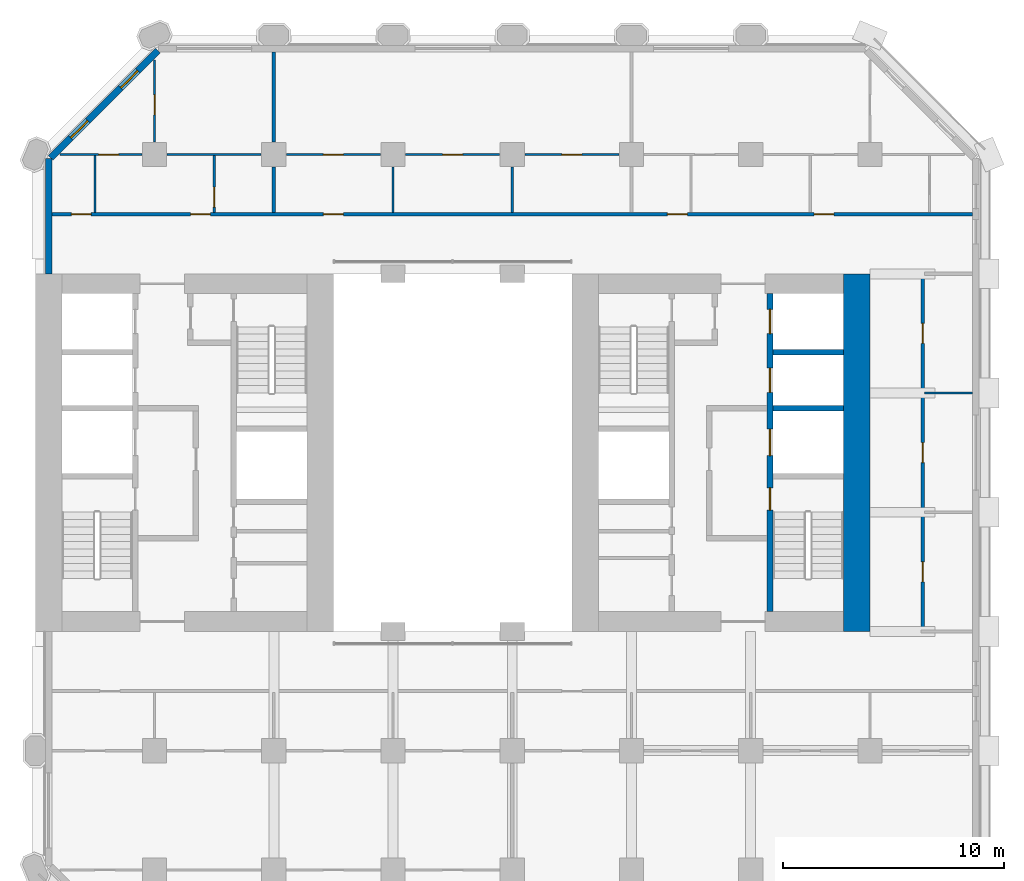
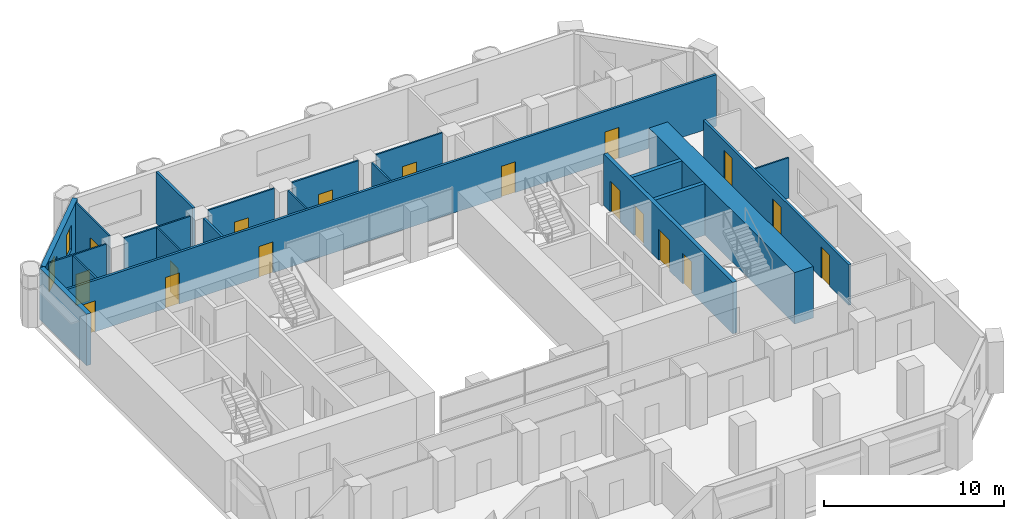
# One storey, part 10 of 13: 21 walls, 18 doors, 2 windows, 20 openings.
"""IFC4 building model written with IfcOpenShell, lengths in metres."""

from ifc_helpers import new_model, si_unit, direction, frame, frame_2d, origin, place, context, subcontext, project, spatial, rectangle, extrude, material, layer, layer_set, type_object, element, fill, save


model = new_model("IFC4")

# Units and contexts
model_context = context("Model", 3, precision=1e-05, world=origin(), true_north=direction((0.0, 1.0)))
body_context = subcontext(model_context, "Body", "Model", "MODEL_VIEW")
ifc_project = project(units=[si_unit("LENGTHUNIT", "METRE"), si_unit("AREAUNIT", "SQUARE_METRE"), si_unit("VOLUMEUNIT", "CUBIC_METRE"), si_unit("PLANEANGLEUNIT", "RADIAN"), si_unit("MASSUNIT", "GRAM", prefix="KILO")], contexts=[model_context])

# Site, building, storey
site_placement = place(None, origin())
site = spatial("IfcSite", under=ifc_project, at=site_placement, CompositionType="ELEMENT")
building_placement = place(site_placement, origin())
building = spatial("IfcBuilding", under=site, at=building_placement, Name="Tabaq Tower and Sports Hall", CompositionType="ELEMENT")
storey_placement = place(building_placement, frame((0.0, 0.0, 45.0)))
storey = spatial("IfcBuildingStorey", under=building, at=storey_placement, Name="L09", CompositionType="ELEMENT", Elevation=45.0)

# Walls
ifc_material_1 = material(Name="Concrete C60/75", Category="concrete")
ifc_layer_1 = layer(ifc_material_1, 1.199951171875)
ifc_layer_set_1 = layer_set([ifc_layer_1], Name="Core wall 1200 Concrete C60/75")
wall_type_1 = type_object("IfcWallType", Name="Core wall 1200 Concrete C60/75", PredefinedType="SOLIDWALL", material=ifc_layer_set_1)
wall_1_placement = place(storey_placement, frame((42.60009765625, 32.39990234375, 0.0), z_axis=(0.0, 0.0, 1.0), x_axis=(0.0, -1.0, 0.0)))
element("IfcWall", 1, at=wall_1_placement, inside=storey, type_object=wall_type_1, Name="Core wall E L09", PredefinedType="SOLIDWALL", context=body_context, shape_type="SweptSolid", body=[
    extrude(rectangle(XDim=16.199951171875, YDim=1.199951171875, at=frame_2d((8.10009765625, 0.0))), origin(), (0.0, 0.0, 1.0), 3.5),
])
ifc_material_2 = material(Name="Gypsum board on steel studs", Category="steel")
ifc_layer_2 = layer(ifc_material_2, 0.10009765625)
ifc_layer_set_2 = layer_set([ifc_layer_2], Name="Partition 100 Gypsum board")
wall_type_2 = type_object("IfcWallType", Name="Partition 100 Gypsum board", PredefinedType="PARTITIONING", material=ifc_layer_set_2)
wall_2_placement = place(storey_placement, frame((8.10009765625, 35.175048828125, 0.0), z_axis=(0.0, 0.0, 1.0), x_axis=(0.0, 1.0, 0.0)))
element("IfcWall", 2, at=wall_2_placement, inside=storey, type_object=wall_type_2, Name="Partition wall L09", PredefinedType="PARTITIONING", context=body_context, shape_type="SweptSolid", body=[
    extrude(rectangle(XDim=2.574951171875, YDim=0.10009765625, at=frame_2d((1.28759765625, 0.0))), origin(), (0.0, 0.0, 1.0), 3.5),
])

# Wall, opening, door
wall_3_placement = place(storey_placement, frame((13.5, 35.175048828125, 0.0), z_axis=(0.0, 0.0, 1.0), x_axis=(0.0, 1.0, 0.0)))
wall_3 = element("IfcWall", 3, at=wall_3_placement, inside=storey, type_object=wall_type_2, Name="Partition wall L09", PredefinedType="PARTITIONING", context=body_context, shape_type="SweptSolid", body=[
    extrude(rectangle(XDim=2.574951171875, YDim=0.10009765625, at=frame_2d((1.28759765625, 0.0))), origin(), (0.0, 0.0, 1.0), 3.5),
])
opening_1_placement = place(wall_3_placement, frame((0.25, 0.0, 0.0)))
opening_1 = element("IfcOpeningElement", 4, at=opening_1_placement, cuts=wall_3, Name="Opening L09-006", PredefinedType="OPENING", context=body_context, shape_type="SweptSolid", body=[
    extrude(rectangle(XDim=0.89990234375, YDim=2.10009765625, at=frame_2d((0.449951171875, 1.050048828125))), frame((0.0, 0.050048828125, 0.0), z_axis=(0.0, -1.0, 0.0), x_axis=(1.0, 0.0, 0.0)), (0.0, 0.0, 1.0), 0.10009765625),
])
ifc_material_3 = material(Name="Timber leaf in steel frame", Category="steel")
door_type_1 = type_object("IfcDoorType", Name="Internal door 900 left hand", OperationType="SINGLE_SWING_LEFT", PredefinedType="DOOR", material=ifc_material_3)
door_1_placement = place(opening_1_placement, origin())
door_1 = element("IfcDoor", 5, at=door_1_placement, inside=storey, type_object=door_type_1, Name="Internal door L09-006", OperationType="SINGLE_SWING_LEFT", OverallHeight=2.10009765625, OverallWidth=0.89990234375, PredefinedType="DOOR", context=body_context, shape_type="SweptSolid", body=[
    extrude(rectangle(XDim=0.89990234375, YDim=2.10009765625, at=frame_2d((0.449951171875, 1.050048828125))), frame((0.0, 0.02490234375, 0.0), z_axis=(0.0, -1.0, 0.0), x_axis=(1.0, 0.0, 0.0)), (0.0, 0.0, 1.0), 0.050048828125),
])
fill(opening_1, door_1)

wall_4_placement = place(storey_placement, frame((10.22998046875, 37.800048828125, 0.0), z_axis=(0.0, 0.0, 1.0), x_axis=(-1.0, 0.0, 0.0)))
wall_4 = element("IfcWall", 6, at=wall_4_placement, inside=storey, type_object=wall_type_2, Name="Partition wall L09", PredefinedType="PARTITIONING", context=body_context, shape_type="SweptSolid", body=[
    extrude(rectangle(XDim=3.7177734375, YDim=0.10009765625, at=frame_2d((1.85888671875, 0.0))), origin(), (0.0, 0.0, 1.0), 3.5),
])
opening_2_placement = place(wall_4_placement, frame((1.06005859375, 0.0, 0.0)))
opening_2 = element("IfcOpeningElement", 7, at=opening_2_placement, cuts=wall_4, Name="Opening L09-025", PredefinedType="OPENING", context=body_context, shape_type="SweptSolid", body=[
    extrude(rectangle(XDim=0.89990234375, YDim=2.10009765625, at=frame_2d((0.449951171875, 1.050048828125))), frame((0.0, 0.050048828125, 0.0), z_axis=(0.0, -1.0, 0.0), x_axis=(1.0, 0.0, 0.0)), (0.0, 0.0, 1.0), 0.10009765625),
])
ifc_material_4 = material(Name="Timber leaf in steel frame", Category="steel")
door_type_2 = type_object("IfcDoorType", Name="Internal door 900 right hand", OperationType="SINGLE_SWING_RIGHT", PredefinedType="DOOR", material=ifc_material_4)
door_2_placement = place(opening_2_placement, origin())
door_2 = element("IfcDoor", 8, at=door_2_placement, inside=storey, type_object=door_type_2, Name="Internal door L09-025", OperationType="SINGLE_SWING_RIGHT", OverallHeight=2.10009765625, OverallWidth=0.89990234375, PredefinedType="DOOR", context=body_context, shape_type="SweptSolid", body=[
    extrude(rectangle(XDim=0.89990234375, YDim=2.10009765625, at=frame_2d((0.449951171875, 1.050048828125))), frame((0.0, 0.02490234375, 0.0), z_axis=(0.0, -1.0, 0.0), x_axis=(1.0, 0.0, 0.0)), (0.0, 0.0, 1.0), 0.050048828125),
])
fill(opening_2, door_2)

# Wall
wall_5_placement = place(storey_placement, frame((15.6298828125, 37.800048828125, 0.0), z_axis=(0.0, 0.0, 1.0), x_axis=(-1.0, 0.0, 0.0)))
element("IfcWall", 9, at=wall_5_placement, inside=storey, type_object=wall_type_2, Name="Partition wall L09", PredefinedType="PARTITIONING", context=body_context, shape_type="SweptSolid", body=[
    extrude(rectangle(XDim=4.259765625, YDim=0.10009765625, at=frame_2d((2.1298828125, 0.0))), origin(), (0.0, 0.0, 1.0), 3.5),
])

# Wall, opening, door
wall_6_placement = place(storey_placement, frame((10.800048828125, 38.3701171875, 0.0), z_axis=(0.0, 0.0, 1.0), x_axis=(0.0, 1.0, 0.0)))
wall_6 = element("IfcWall", 10, at=wall_6_placement, inside=storey, type_object=wall_type_2, Name="Partition wall L09", PredefinedType="PARTITIONING", context=body_context, shape_type="SweptSolid", body=[
    extrude(rectangle(XDim=3.7177734375, YDim=0.10009765625, at=frame_2d((1.85888671875, 0.0))), origin(), (0.0, 0.0, 1.0), 3.5),
])
opening_3_placement = place(wall_6_placement, frame((1.22998046875, 0.0, 0.0)))
opening_3 = element("IfcOpeningElement", 11, at=opening_3_placement, cuts=wall_6, Name="Opening L09-007", PredefinedType="OPENING", context=body_context, shape_type="SweptSolid", body=[
    extrude(rectangle(XDim=0.89990234375, YDim=2.10009765625, at=frame_2d((0.449951171875, 1.050048828125))), frame((0.0, 0.050048828125, 0.0), z_axis=(0.0, -1.0, 0.0), x_axis=(1.0, 0.0, 0.0)), (0.0, 0.0, 1.0), 0.10009765625),
])
door_3_placement = place(opening_3_placement, origin())
door_3 = element("IfcDoor", 12, at=door_3_placement, inside=storey, type_object=door_type_1, Name="Internal door L09-007", OperationType="SINGLE_SWING_LEFT", OverallHeight=2.10009765625, OverallWidth=0.89990234375, PredefinedType="DOOR", context=body_context, shape_type="SweptSolid", body=[
    extrude(rectangle(XDim=0.89990234375, YDim=2.10009765625, at=frame_2d((0.449951171875, 1.050048828125))), frame((0.0, 0.02490234375, 0.0), z_axis=(0.0, -1.0, 0.0), x_axis=(1.0, 0.0, 0.0)), (0.0, 0.0, 1.0), 0.050048828125),
])
fill(opening_3, door_3)

# Wall
wall_7_placement = place(storey_placement, frame((21.60009765625, 35.175048828125, 0.0), z_axis=(0.0, 0.0, 1.0), x_axis=(0.0, 1.0, 0.0)))
element("IfcWall", 13, at=wall_7_placement, inside=storey, type_object=wall_type_2, Name="Partition wall L09", PredefinedType="PARTITIONING", context=body_context, shape_type="SweptSolid", body=[
    extrude(rectangle(XDim=2.054931640625, YDim=0.10009765625, at=frame_2d((1.02734375, 0.0))), origin(), (0.0, 0.0, 1.0), 3.5),
])

# Wall, opening, door
wall_8_placement = place(storey_placement, frame((21.030029296875, 37.800048828125, 0.0), z_axis=(0.0, 0.0, 1.0), x_axis=(-1.0, 0.0, 0.0)))
wall_8 = element("IfcWall", 14, at=wall_8_placement, inside=storey, type_object=wall_type_2, Name="Partition wall L09", PredefinedType="PARTITIONING", context=body_context, shape_type="SweptSolid", body=[
    extrude(rectangle(XDim=4.260009765625, YDim=0.10009765625, at=frame_2d((2.1298828125, 0.0))), origin(), (0.0, 0.0, 1.0), 3.5),
])
opening_4_placement = place(wall_8_placement, frame((1.679931640625, 0.0, 0.0)))
opening_4 = element("IfcOpeningElement", 15, at=opening_4_placement, cuts=wall_8, Name="Opening L09-026", PredefinedType="OPENING", context=body_context, shape_type="SweptSolid", body=[
    extrude(rectangle(XDim=0.89990234375, YDim=2.10009765625, at=frame_2d((0.449951171875, 1.050048828125))), frame((0.0, 0.050048828125, 0.0), z_axis=(0.0, -1.0, 0.0), x_axis=(1.0, 0.0, 0.0)), (0.0, 0.0, 1.0), 0.10009765625),
])
door_4_placement = place(opening_4_placement, origin())
door_4 = element("IfcDoor", 16, at=door_4_placement, inside=storey, type_object=door_type_2, Name="Internal door L09-026", OperationType="SINGLE_SWING_RIGHT", OverallHeight=2.10009765625, OverallWidth=0.89990234375, PredefinedType="DOOR", context=body_context, shape_type="SweptSolid", body=[
    extrude(rectangle(XDim=0.89990234375, YDim=2.10009765625, at=frame_2d((0.449951171875, 1.050048828125))), frame((0.0, 0.02490234375, 0.0), z_axis=(0.0, -1.0, 0.0), x_axis=(1.0, 0.0, 0.0)), (0.0, 0.0, 1.0), 0.050048828125),
])
fill(opening_4, door_4)

# Wall
wall_9_placement = place(storey_placement, frame((27.0, 35.175048828125, 0.0), z_axis=(0.0, 0.0, 1.0), x_axis=(0.0, 1.0, 0.0)))
element("IfcWall", 17, at=wall_9_placement, inside=storey, type_object=wall_type_2, Name="Partition wall L09", PredefinedType="PARTITIONING", context=body_context, shape_type="SweptSolid", body=[
    extrude(rectangle(XDim=2.054931640625, YDim=0.10009765625, at=frame_2d((1.02734375, 0.0))), origin(), (0.0, 0.0, 1.0), 3.5),
])

# Wall, opening, door
wall_10_placement = place(storey_placement, frame((26.429931640625, 37.800048828125, 0.0), z_axis=(0.0, 0.0, 1.0), x_axis=(-1.0, 0.0, 0.0)))
wall_10 = element("IfcWall", 18, at=wall_10_placement, inside=storey, type_object=wall_type_2, Name="Partition wall L09", PredefinedType="PARTITIONING", context=body_context, shape_type="SweptSolid", body=[
    extrude(rectangle(XDim=4.260009765625, YDim=0.10009765625, at=frame_2d((2.1298828125, 0.0))), origin(), (0.0, 0.0, 1.0), 3.5),
])
opening_5_placement = place(wall_10_placement, frame((1.679931640625, 0.0, 0.0)))
opening_5 = element("IfcOpeningElement", 19, at=opening_5_placement, cuts=wall_10, Name="Opening L09-008", PredefinedType="OPENING", context=body_context, shape_type="SweptSolid", body=[
    extrude(rectangle(XDim=0.89990234375, YDim=2.10009765625, at=frame_2d((0.449951171875, 1.050048828125))), frame((0.0, 0.050048828125, 0.0), z_axis=(0.0, -1.0, 0.0), x_axis=(1.0, 0.0, 0.0)), (0.0, 0.0, 1.0), 0.10009765625),
])
door_5_placement = place(opening_5_placement, origin())
door_5 = element("IfcDoor", 20, at=door_5_placement, inside=storey, type_object=door_type_1, Name="Internal door L09-008", OperationType="SINGLE_SWING_LEFT", OverallHeight=2.10009765625, OverallWidth=0.89990234375, PredefinedType="DOOR", context=body_context, shape_type="SweptSolid", body=[
    extrude(rectangle(XDim=0.89990234375, YDim=2.10009765625, at=frame_2d((0.449951171875, 1.050048828125))), frame((0.0, 0.02490234375, 0.0), z_axis=(0.0, -1.0, 0.0), x_axis=(1.0, 0.0, 0.0)), (0.0, 0.0, 1.0), 0.050048828125),
])
fill(opening_5, door_5)

wall_11_placement = place(storey_placement, frame((31.830078125, 37.800048828125, 0.0), z_axis=(0.0, 0.0, 1.0), x_axis=(-1.0, 0.0, 0.0)))
wall_11 = element("IfcWall", 21, at=wall_11_placement, inside=storey, type_object=wall_type_2, Name="Partition wall L09", PredefinedType="PARTITIONING", context=body_context, shape_type="SweptSolid", body=[
    extrude(rectangle(XDim=4.260009765625, YDim=0.10009765625, at=frame_2d((2.1298828125, 0.0))), origin(), (0.0, 0.0, 1.0), 3.5),
])
opening_6_placement = place(wall_11_placement, frame((1.679931640625, 0.0, 0.0)))
opening_6 = element("IfcOpeningElement", 22, at=opening_6_placement, cuts=wall_11, Name="Opening L09-009", PredefinedType="OPENING", context=body_context, shape_type="SweptSolid", body=[
    extrude(rectangle(XDim=0.89990234375, YDim=2.10009765625, at=frame_2d((0.449951171875, 1.050048828125))), frame((0.0, 0.050048828125, 0.0), z_axis=(0.0, -1.0, 0.0), x_axis=(1.0, 0.0, 0.0)), (0.0, 0.0, 1.0), 0.10009765625),
])
door_6_placement = place(opening_6_placement, origin())
door_6 = element("IfcDoor", 23, at=door_6_placement, inside=storey, type_object=door_type_1, Name="Internal door L09-009", OperationType="SINGLE_SWING_LEFT", OverallHeight=2.10009765625, OverallWidth=0.89990234375, PredefinedType="DOOR", context=body_context, shape_type="SweptSolid", body=[
    extrude(rectangle(XDim=0.89990234375, YDim=2.10009765625, at=frame_2d((0.449951171875, 1.050048828125))), frame((0.0, 0.02490234375, 0.0), z_axis=(0.0, -1.0, 0.0), x_axis=(1.0, 0.0, 0.0)), (0.0, 0.0, 1.0), 0.050048828125),
])
fill(opening_6, door_6)

# Wall
wall_12_placement = place(storey_placement, frame((47.84912109375, 27.0, 0.0), z_axis=(0.0, 0.0, 1.0), x_axis=(-1.0, 0.0, 0.0)))
element("IfcWall", 24, at=wall_12_placement, inside=storey, type_object=wall_type_2, Name="Partition wall L09", PredefinedType="PARTITIONING", context=body_context, shape_type="SweptSolid", body=[
    extrude(rectangle(XDim=2.174072265625, YDim=0.10009765625, at=frame_2d((1.0869140625, 0.0))), origin(), (0.0, 0.0, 1.0), 2.75),
])

# Wall, openings, doors
ifc_material_5 = material(Name="Blockwork", Category="masonry")
ifc_layer_3 = layer(ifc_material_5, 0.14990234375)
ifc_layer_set_3 = layer_set([ifc_layer_3], Name="Separating wall 150 Blockwork")
wall_type_3 = type_object("IfcWallType", Name="Separating wall 150 Blockwork", PredefinedType="PARTITIONING", material=ifc_layer_set_3)
wall_13_placement = place(storey_placement, frame((45.60009765625, 16.27490234375, 0.0), z_axis=(0.0, 0.0, 1.0), x_axis=(0.0, 1.0, 0.0)))
wall_13 = element("IfcWall", 25, at=wall_13_placement, inside=storey, type_object=wall_type_3, Name="Separating wall L09", PredefinedType="PARTITIONING", context=body_context, shape_type="SweptSolid", body=[
    extrude(rectangle(XDim=16.2001953125, YDim=0.14990234375, at=frame_2d((8.10009765625, 0.0))), origin(), (0.0, 0.0, 1.0), 2.75),
])
opening_7_placement = place(wall_13_placement, frame((2.175048828125, 0.0, 0.0)))
opening_7 = element("IfcOpeningElement", 26, at=opening_7_placement, cuts=wall_13, Name="Opening L09-003", PredefinedType="OPENING", context=body_context, shape_type="SweptSolid", body=[
    extrude(rectangle(XDim=0.89990234375, YDim=2.10009765625, at=frame_2d((0.449951171875, 1.050048828125))), frame((0.0, 0.074951171875, 0.0), z_axis=(0.0, -1.0, 0.0), x_axis=(1.0, 0.0, 0.0)), (0.0, 0.0, 1.0), 0.14990234375),
])
opening_8_placement = place(wall_13_placement, frame((7.574951171875, 0.0, 0.0)))
opening_8 = element("IfcOpeningElement", 27, at=opening_8_placement, cuts=wall_13, Name="Opening L09-004", PredefinedType="OPENING", context=body_context, shape_type="SweptSolid", body=[
    extrude(rectangle(XDim=0.89990234375, YDim=2.10009765625, at=frame_2d((0.449951171875, 1.050048828125))), frame((0.0, 0.074951171875, 0.0), z_axis=(0.0, -1.0, 0.0), x_axis=(1.0, 0.0, 0.0)), (0.0, 0.0, 1.0), 0.14990234375),
])
opening_9_placement = place(wall_13_placement, frame((12.97509765625, 0.0, 0.0)))
opening_9 = element("IfcOpeningElement", 28, at=opening_9_placement, cuts=wall_13, Name="Opening L09-005", PredefinedType="OPENING", context=body_context, shape_type="SweptSolid", body=[
    extrude(rectangle(XDim=0.89990234375, YDim=2.10009765625, at=frame_2d((0.449951171875, 1.050048828125))), frame((0.0, 0.074951171875, 0.0), z_axis=(0.0, -1.0, 0.0), x_axis=(1.0, 0.0, 0.0)), (0.0, 0.0, 1.0), 0.14990234375),
])
door_7_placement = place(opening_7_placement, origin())
door_7 = element("IfcDoor", 29, at=door_7_placement, inside=storey, type_object=door_type_1, Name="Internal door L09-003", OperationType="SINGLE_SWING_LEFT", OverallHeight=2.10009765625, OverallWidth=0.89990234375, PredefinedType="DOOR", context=body_context, shape_type="SweptSolid", body=[
    extrude(rectangle(XDim=0.89990234375, YDim=2.10009765625, at=frame_2d((0.449951171875, 1.050048828125))), frame((0.0, 0.02490234375, 0.0), z_axis=(0.0, -1.0, 0.0), x_axis=(1.0, 0.0, 0.0)), (0.0, 0.0, 1.0), 0.050048828125),
])
fill(opening_7, door_7)
door_8_placement = place(opening_8_placement, origin())
door_8 = element("IfcDoor", 30, at=door_8_placement, inside=storey, type_object=door_type_1, Name="Internal door L09-004", OperationType="SINGLE_SWING_LEFT", OverallHeight=2.10009765625, OverallWidth=0.89990234375, PredefinedType="DOOR", context=body_context, shape_type="SweptSolid", body=[
    extrude(rectangle(XDim=0.89990234375, YDim=2.10009765625, at=frame_2d((0.449951171875, 1.050048828125))), frame((0.0, 0.02490234375, 0.0), z_axis=(0.0, -1.0, 0.0), x_axis=(1.0, 0.0, 0.0)), (0.0, 0.0, 1.0), 0.050048828125),
])
fill(opening_8, door_8)
door_9_placement = place(opening_9_placement, origin())
door_9 = element("IfcDoor", 31, at=door_9_placement, inside=storey, type_object=door_type_1, Name="Internal door L09-005", OperationType="SINGLE_SWING_LEFT", OverallHeight=2.10009765625, OverallWidth=0.89990234375, PredefinedType="DOOR", context=body_context, shape_type="SweptSolid", body=[
    extrude(rectangle(XDim=0.89990234375, YDim=2.10009765625, at=frame_2d((0.449951171875, 1.050048828125))), frame((0.0, 0.02490234375, 0.0), z_axis=(0.0, -1.0, 0.0), x_axis=(1.0, 0.0, 0.0)), (0.0, 0.0, 1.0), 0.050048828125),
])
fill(opening_9, door_9)

wall_14_placement = place(storey_placement, frame((47.84912109375, 35.10009765625, 0.0), z_axis=(0.0, 0.0, 1.0), x_axis=(-1.0, 0.0, 0.0)))
wall_14 = element("IfcWall", 32, at=wall_14_placement, inside=storey, type_object=wall_type_3, Name="Separating wall L09", PredefinedType="PARTITIONING", context=body_context, shape_type="SweptSolid", body=[
    extrude(rectangle(XDim=41.6982421875, YDim=0.14990234375, at=frame_2d((20.84912109375, 0.0))), origin(), (0.0, 0.0, 1.0), 3.5),
])
opening_10_placement = place(wall_14_placement, frame((39.9189453125, 0.0, 0.0)))
opening_10 = element("IfcOpeningElement", 33, at=opening_10_placement, cuts=wall_14, Name="Opening L09-001", PredefinedType="OPENING", context=body_context, shape_type="SweptSolid", body=[
    extrude(rectangle(XDim=0.89990234375, YDim=2.10009765625, at=frame_2d((0.449951171875, 1.050048828125))), frame((0.0, 0.074951171875, 0.0), z_axis=(0.0, -1.0, 0.0), x_axis=(1.0, 0.0, 0.0)), (0.0, 0.0, 1.0), 0.14990234375),
])
opening_11_placement = place(wall_14_placement, frame((12.9189453125, 0.0, 0.0)))
opening_11 = element("IfcOpeningElement", 34, at=opening_11_placement, cuts=wall_14, Name="Opening L09-002", PredefinedType="OPENING", context=body_context, shape_type="SweptSolid", body=[
    extrude(rectangle(XDim=0.89990234375, YDim=2.10009765625, at=frame_2d((0.449951171875, 1.050048828125))), frame((0.0, 0.074951171875, 0.0), z_axis=(0.0, -1.0, 0.0), x_axis=(1.0, 0.0, 0.0)), (0.0, 0.0, 1.0), 0.14990234375),
])
opening_12_placement = place(wall_14_placement, frame((28.4990234375, 0.0, 0.0)))
opening_12 = element("IfcOpeningElement", 35, at=opening_12_placement, cuts=wall_14, Name="Opening L09-022", PredefinedType="OPENING", context=body_context, shape_type="SweptSolid", body=[
    extrude(rectangle(XDim=0.89990234375, YDim=2.10009765625, at=frame_2d((0.449951171875, 1.050048828125))), frame((0.0, 0.074951171875, 0.0), z_axis=(0.0, -1.0, 0.0), x_axis=(1.0, 0.0, 0.0)), (0.0, 0.0, 1.0), 0.14990234375),
])
opening_13_placement = place(wall_14_placement, frame((34.51904296875, 0.0, 0.0)))
opening_13 = element("IfcOpeningElement", 36, at=opening_13_placement, cuts=wall_14, Name="Opening L09-029", PredefinedType="OPENING", context=body_context, shape_type="SweptSolid", body=[
    extrude(rectangle(XDim=0.89990234375, YDim=2.10009765625, at=frame_2d((0.449951171875, 1.050048828125))), frame((0.0, 0.074951171875, 0.0), z_axis=(0.0, -1.0, 0.0), x_axis=(1.0, 0.0, 0.0)), (0.0, 0.0, 1.0), 0.14990234375),
])
opening_14_placement = place(wall_14_placement, frame((6.279052734375, 0.0, 0.0)))
opening_14 = element("IfcOpeningElement", 37, at=opening_14_placement, cuts=wall_14, Name="Opening L09-030", PredefinedType="OPENING", context=body_context, shape_type="SweptSolid", body=[
    extrude(rectangle(XDim=0.89990234375, YDim=2.10009765625, at=frame_2d((0.449951171875, 1.050048828125))), frame((0.0, 0.074951171875, 0.0), z_axis=(0.0, -1.0, 0.0), x_axis=(1.0, 0.0, 0.0)), (0.0, 0.0, 1.0), 0.14990234375),
])
ifc_material_6 = material(Name="Steel fire door", Category="steel")
door_type_3 = type_object("IfcDoorType", Name="Entrance door 900 right hand", OperationType="SINGLE_SWING_RIGHT", PredefinedType="DOOR", material=ifc_material_6)
door_10_placement = place(opening_10_placement, origin())
door_10 = element("IfcDoor", 38, at=door_10_placement, inside=storey, type_object=door_type_3, Name="Entrance door L09-001", OperationType="SINGLE_SWING_RIGHT", OverallHeight=2.10009765625, OverallWidth=0.89990234375, PredefinedType="DOOR", context=body_context, shape_type="SweptSolid", body=[
    extrude(rectangle(XDim=0.89990234375, YDim=2.10009765625, at=frame_2d((0.449951171875, 1.050048828125))), frame((0.0, 0.02490234375, 0.0), z_axis=(0.0, -1.0, 0.0), x_axis=(1.0, 0.0, 0.0)), (0.0, 0.0, 1.0), 0.050048828125),
])
fill(opening_10, door_10)
door_11_placement = place(opening_11_placement, origin())
door_11 = element("IfcDoor", 39, at=door_11_placement, inside=storey, type_object=door_type_3, Name="Entrance door L09-002", OperationType="SINGLE_SWING_RIGHT", OverallHeight=2.10009765625, OverallWidth=0.89990234375, PredefinedType="DOOR", context=body_context, shape_type="SweptSolid", body=[
    extrude(rectangle(XDim=0.89990234375, YDim=2.10009765625, at=frame_2d((0.449951171875, 1.050048828125))), frame((0.0, 0.02490234375, 0.0), z_axis=(0.0, -1.0, 0.0), x_axis=(1.0, 0.0, 0.0)), (0.0, 0.0, 1.0), 0.050048828125),
])
fill(opening_11, door_11)
door_12_placement = place(opening_12_placement, origin())
door_12 = element("IfcDoor", 40, at=door_12_placement, inside=storey, type_object=door_type_3, Name="Entrance door L09-022", OperationType="SINGLE_SWING_RIGHT", OverallHeight=2.10009765625, OverallWidth=0.89990234375, PredefinedType="DOOR", context=body_context, shape_type="SweptSolid", body=[
    extrude(rectangle(XDim=0.89990234375, YDim=2.10009765625, at=frame_2d((0.449951171875, 1.050048828125))), frame((0.0, 0.02490234375, 0.0), z_axis=(0.0, -1.0, 0.0), x_axis=(1.0, 0.0, 0.0)), (0.0, 0.0, 1.0), 0.050048828125),
])
fill(opening_12, door_12)
door_13_placement = place(opening_13_placement, origin())
door_13 = element("IfcDoor", 41, at=door_13_placement, inside=storey, type_object=door_type_3, Name="Entrance door L09-029", OperationType="SINGLE_SWING_RIGHT", OverallHeight=2.10009765625, OverallWidth=0.89990234375, PredefinedType="DOOR", context=body_context, shape_type="SweptSolid", body=[
    extrude(rectangle(XDim=0.89990234375, YDim=2.10009765625, at=frame_2d((0.449951171875, 1.050048828125))), frame((0.0, 0.02490234375, 0.0), z_axis=(0.0, -1.0, 0.0), x_axis=(1.0, 0.0, 0.0)), (0.0, 0.0, 1.0), 0.050048828125),
])
fill(opening_13, door_13)
door_14_placement = place(opening_14_placement, origin())
door_14 = element("IfcDoor", 42, at=door_14_placement, inside=storey, type_object=door_type_3, Name="Entrance door L09-030", OperationType="SINGLE_SWING_RIGHT", OverallHeight=2.10009765625, OverallWidth=0.89990234375, PredefinedType="DOOR", context=body_context, shape_type="SweptSolid", body=[
    extrude(rectangle(XDim=0.89990234375, YDim=2.10009765625, at=frame_2d((0.449951171875, 1.050048828125))), frame((0.0, 0.02490234375, 0.0), z_axis=(0.0, -1.0, 0.0), x_axis=(1.0, 0.0, 0.0)), (0.0, 0.0, 1.0), 0.050048828125),
])
fill(opening_14, door_14)

# Walls
wall_15_placement = place(storey_placement, frame((16.199951171875, 35.175048828125, 0.0), z_axis=(0.0, 0.0, 1.0), x_axis=(0.0, 1.0, 0.0)))
element("IfcWall", 43, at=wall_15_placement, inside=storey, type_object=wall_type_3, Name="Separating wall L09", PredefinedType="PARTITIONING", context=body_context, shape_type="SweptSolid", body=[
    extrude(rectangle(XDim=2.054931640625, YDim=0.14990234375, at=frame_2d((1.02734375, 0.0))), origin(), (0.0, 0.0, 1.0), 3.5),
])
wall_16_placement = place(storey_placement, frame((16.199951171875, 38.3701171875, 0.0), z_axis=(0.0, 0.0, 1.0), x_axis=(0.0, 1.0, 0.0)))
element("IfcWall", 44, at=wall_16_placement, inside=storey, type_object=wall_type_3, Name="Separating wall L09", PredefinedType="PARTITIONING", context=body_context, shape_type="SweptSolid", body=[
    extrude(rectangle(XDim=4.078857421875, YDim=0.14990234375, at=frame_2d((2.03955078125, 0.0))), origin(), (0.0, 0.0, 1.0), 3.5),
])

# Wall, openings, doors
ifc_material_7 = material(Name="Concrete C40/50", Category="concrete")
ifc_layer_4 = layer(ifc_material_7, 0.25)
ifc_layer_set_4 = layer_set([ifc_layer_4], Name="Shaft and stair wall 250 Concrete C40/50")
wall_type_4 = type_object("IfcWallType", Name="Shaft and stair wall 250 Concrete C40/50", PredefinedType="SOLIDWALL", material=ifc_layer_set_4)
wall_17_placement = place(storey_placement, frame((38.675048828125, 17.10009765625, 0.0), z_axis=(0.0, 0.0, 1.0), x_axis=(0.0, 1.0, 0.0)))
wall_17 = element("IfcWall", 45, at=wall_17_placement, inside=storey, type_object=wall_type_4, Name="Shaft wall E L09", PredefinedType="SOLIDWALL", context=body_context, shape_type="SweptSolid", body=[
    extrude(rectangle(XDim=14.39990234375, YDim=0.25, at=frame_2d((7.199951171875, 0.0))), origin(), (0.0, 0.0, 1.0), 3.5),
])
opening_15_placement = place(wall_17_placement, frame((4.60009765625, 0.0, 0.0)))
opening_15 = element("IfcOpeningElement", 46, at=opening_15_placement, cuts=wall_17, Name="Opening SD-EL09-03", PredefinedType="OPENING", context=body_context, shape_type="SweptSolid", body=[
    extrude(rectangle(XDim=1.0, YDim=2.10009765625, at=frame_2d((0.5, 1.050048828125))), frame((0.0, 0.125, 0.0), z_axis=(0.0, -1.0, 0.0), x_axis=(1.0, 0.0, 0.0)), (0.0, 0.0, 1.0), 0.25),
])
opening_16_placement = place(wall_17_placement, frame((7.0625, 0.0, 0.0)))
opening_16 = element("IfcOpeningElement", 47, at=opening_16_placement, cuts=wall_17, Name="Opening LD-FF2-L09", PredefinedType="OPENING", context=body_context, shape_type="SweptSolid", body=[
    extrude(rectangle(XDim=1.199951171875, YDim=2.10009765625, at=frame_2d((0.60009765625, 1.050048828125))), frame((0.0, 0.125, 0.0), z_axis=(0.0, -1.0, 0.0), x_axis=(1.0, 0.0, 0.0)), (0.0, 0.0, 1.0), 0.25),
])
opening_17_placement = place(wall_17_placement, frame((9.925048828125, 0.0, 0.0)))
opening_17 = element("IfcOpeningElement", 48, at=opening_17_placement, cuts=wall_17, Name="Opening LD-LR3-L09", PredefinedType="OPENING", context=body_context, shape_type="SweptSolid", body=[
    extrude(rectangle(XDim=1.10009765625, YDim=2.10009765625, at=frame_2d((0.550048828125, 1.050048828125))), frame((0.0, 0.125, 0.0), z_axis=(0.0, -1.0, 0.0), x_axis=(1.0, 0.0, 0.0)), (0.0, 0.0, 1.0), 0.25),
])
opening_18_placement = place(wall_17_placement, frame((12.58740234375, 0.0, 0.0)))
opening_18 = element("IfcOpeningElement", 49, at=opening_18_placement, cuts=wall_17, Name="Opening LD-LR4-L09", PredefinedType="OPENING", context=body_context, shape_type="SweptSolid", body=[
    extrude(rectangle(XDim=1.10009765625, YDim=2.10009765625, at=frame_2d((0.550048828125, 1.050048828125))), frame((0.0, 0.125, 0.0), z_axis=(0.0, -1.0, 0.0), x_axis=(1.0, 0.0, 0.0)), (0.0, 0.0, 1.0), 0.25),
])
ifc_material_8 = material(Name="Stainless steel", Category="steel")
door_type_4 = type_object("IfcDoorType", Name="Lift landing door 1100", OperationType="DOUBLE_DOOR_SLIDING", PredefinedType="DOOR", material=ifc_material_8)
door_15_placement = place(opening_17_placement, origin())
door_15 = element("IfcDoor", 50, at=door_15_placement, inside=storey, type_object=door_type_4, Name="Lift landing door LR3 E L09", OperationType="DOUBLE_DOOR_SLIDING", OverallHeight=2.10009765625, OverallWidth=1.10009765625, PredefinedType="DOOR", context=body_context, shape_type="SweptSolid", body=[
    extrude(rectangle(XDim=1.10009765625, YDim=2.10009765625, at=frame_2d((0.550048828125, 1.050048828125))), frame((0.0, 0.02490234375, 0.0), z_axis=(0.0, -1.0, 0.0), x_axis=(1.0, 0.0, 0.0)), (0.0, 0.0, 1.0), 0.050048828125),
])
fill(opening_17, door_15)
door_16_placement = place(opening_18_placement, origin())
door_16 = element("IfcDoor", 51, at=door_16_placement, inside=storey, type_object=door_type_4, Name="Lift landing door LR4 E L09", OperationType="DOUBLE_DOOR_SLIDING", OverallHeight=2.10009765625, OverallWidth=1.10009765625, PredefinedType="DOOR", context=body_context, shape_type="SweptSolid", body=[
    extrude(rectangle(XDim=1.10009765625, YDim=2.10009765625, at=frame_2d((0.550048828125, 1.050048828125))), frame((0.0, 0.02490234375, 0.0), z_axis=(0.0, -1.0, 0.0), x_axis=(1.0, 0.0, 0.0)), (0.0, 0.0, 1.0), 0.050048828125),
])
fill(opening_18, door_16)
ifc_material_9 = material(Name="Stainless steel", Category="steel")
door_type_5 = type_object("IfcDoorType", Name="Lift landing door 1200", OperationType="DOUBLE_DOOR_SLIDING", PredefinedType="DOOR", material=ifc_material_9)
door_17_placement = place(opening_16_placement, origin())
door_17 = element("IfcDoor", 52, at=door_17_placement, inside=storey, type_object=door_type_5, Name="Lift landing door FF2 E L09", OperationType="DOUBLE_DOOR_SLIDING", OverallHeight=2.10009765625, OverallWidth=1.199951171875, PredefinedType="DOOR", context=body_context, shape_type="SweptSolid", body=[
    extrude(rectangle(XDim=1.199951171875, YDim=2.10009765625, at=frame_2d((0.60009765625, 1.050048828125))), frame((0.0, 0.02490234375, 0.0), z_axis=(0.0, -1.0, 0.0), x_axis=(1.0, 0.0, 0.0)), (0.0, 0.0, 1.0), 0.050048828125),
])
fill(opening_16, door_17)
ifc_material_10 = material(Name="Steel fire door", Category="steel")
door_type_6 = type_object("IfcDoorType", Name="Stair door 1000", OperationType="SINGLE_SWING_LEFT", PredefinedType="DOOR", material=ifc_material_10)
door_18_placement = place(opening_15_placement, origin())
door_18 = element("IfcDoor", 53, at=door_18_placement, inside=storey, type_object=door_type_6, Name="Stair door ST3 E L09", OperationType="SINGLE_SWING_LEFT", OverallHeight=2.10009765625, OverallWidth=1.0, PredefinedType="DOOR", context=body_context, shape_type="SweptSolid", body=[
    extrude(rectangle(XDim=1.0, YDim=2.10009765625, at=frame_2d((0.5, 1.050048828125))), frame((0.0, 0.02490234375, 0.0), z_axis=(0.0, -1.0, 0.0), x_axis=(1.0, 0.0, 0.0)), (0.0, 0.0, 1.0), 0.050048828125),
])
fill(opening_15, door_18)

# Walls
for number, where, z_axis, x_axis, name in (
    (54, (38.800048828125, 26.300048828125, 0.0), (0.0, 0.0, 1.0), (1.0, 0.0, 0.0), "Shaft wall E L09"),
    (55, (38.800048828125, 28.85009765625, 0.0), (0.0, 0.0, 1.0), (1.0, 0.0, 0.0), "Shaft wall E L09"),
):
    element("IfcWall", number, at=place(storey_placement, frame(where, z_axis=z_axis, x_axis=x_axis)), inside=storey, type_object=wall_type_4, Name=name, PredefinedType="SOLIDWALL", context=body_context, shape_type="SweptSolid", body=[
        extrude(rectangle(XDim=3.199951171875, YDim=0.25, at=frame_2d((1.60009765625, 0.0))), origin(), (0.0, 0.0, 1.0), 3.5),
    ])

# Wall, openings, windows
ifc_material_11 = material(Name="White precast concrete C60/75", Category="concrete")
ifc_layer_5 = layer(ifc_material_11, 0.300048828125)
ifc_layer_set_5 = layer_set([ifc_layer_5], Name="White precast concrete C60/75 external wall 300")
wall_type_5 = type_object("IfcWallType", Name="White precast concrete C60/75 external wall 300", PredefinedType="SOLIDWALL", material=ifc_layer_set_5)
wall_18_placement = place(storey_placement, frame((10.949462890625, 42.5009765625, 0.0), z_axis=(0.0, 0.0, 1.0), x_axis=(-0.707106781187, -0.707106781187, 0.0)))
wall_18 = element("IfcWall", 56, at=wall_18_placement, inside=storey, type_object=wall_type_5, Name="External Wall L09 NW", PredefinedType="SOLIDWALL", context=body_context, shape_type="SweptSolid", body=[
    extrude(rectangle(XDim=6.85986328125, YDim=0.300048828125, at=frame_2d((3.429931640625, 0.0))), origin(), (0.0, 0.0, 1.0), 3.5),
])
opening_19_placement = place(wall_18_placement, frame((1.27978515625, 0.0, 0.89990234375)))
opening_19 = element("IfcOpeningElement", 57, at=opening_19_placement, cuts=wall_18, Name="Opening W1B", PredefinedType="OPENING", context=body_context, shape_type="SweptSolid", body=[
    extrude(rectangle(XDim=1.10009765625, YDim=1.699951171875, at=frame_2d((0.550048828125, 0.85009765625))), frame((0.0, 0.16015625, 0.0), z_axis=(0.0, -1.0, 0.0), x_axis=(1.0, 0.0, 0.0)), (0.0, 0.0, 1.0), 0.320068359375),
])
opening_20_placement = place(wall_18_placement, frame((4.479736328125, 0.0, 0.89990234375)))
opening_20 = element("IfcOpeningElement", 58, at=opening_20_placement, cuts=wall_18, Name="Opening W1B", PredefinedType="OPENING", context=body_context, shape_type="SweptSolid", body=[
    extrude(rectangle(XDim=1.10009765625, YDim=1.699951171875, at=frame_2d((0.550048828125, 0.85009765625))), frame((0.0, 0.16015625, 0.0), z_axis=(0.0, -1.0, 0.0), x_axis=(1.0, 0.0, 0.0)), (0.0, 0.0, 1.0), 0.320068359375),
])
ifc_material_12 = material(Name="Aluminium framed clear glazing", Category="aluminium")
window_type = type_object("IfcWindowType", Name="Window W1B", PartitioningType="SINGLE_PANEL", PredefinedType="WINDOW", material=ifc_material_12)
window_1_placement = place(opening_19_placement, origin())
window_1 = element("IfcWindow", 59, at=window_1_placement, inside=storey, type_object=window_type, Name="Window W1B L09", OverallHeight=1.699951171875, OverallWidth=1.10009765625, PartitioningType="SINGLE_PANEL", PredefinedType="WINDOW", context=body_context, shape_type="SweptSolid", body=[
    extrude(rectangle(XDim=1.10009765625, YDim=1.699951171875, at=frame_2d((0.550048828125, 0.85009765625))), frame((0.0, 0.030029296875, 0.0), z_axis=(0.0, -1.0, 0.0), x_axis=(1.0, 0.0, 0.0)), (0.0, 0.0, 1.0), 0.06005859375),
])
fill(opening_19, window_1)
window_2_placement = place(opening_20_placement, origin())
window_2 = element("IfcWindow", 60, at=window_2_placement, inside=storey, type_object=window_type, Name="Window W1B L09", OverallHeight=1.699951171875, OverallWidth=1.10009765625, PartitioningType="SINGLE_PANEL", PredefinedType="WINDOW", context=body_context, shape_type="SweptSolid", body=[
    extrude(rectangle(XDim=1.10009765625, YDim=1.699951171875, at=frame_2d((0.550048828125, 0.85009765625))), frame((0.0, 0.030029296875, 0.0), z_axis=(0.0, -1.0, 0.0), x_axis=(1.0, 0.0, 0.0)), (0.0, 0.0, 1.0), 0.06005859375),
])
fill(opening_20, window_2)

# Wall
wall_19_placement = place(storey_placement, frame((6.0, 37.613525390625, 0.0), z_axis=(0.0, 0.0, 1.0), x_axis=(0.0, -1.0, 0.0)))
element("IfcWall", 61, at=wall_19_placement, inside=storey, type_object=wall_type_5, Name="External Wall L09 W", PredefinedType="SOLIDWALL", context=body_context, shape_type="SweptSolid", body=[
    extrude(rectangle(XDim=5.213623046875, YDim=0.300048828125, at=frame_2d((2.60693359375, 0.0))), origin(), (0.0, 0.0, 1.0), 3.5),
])

save(model, "model.ifc")
